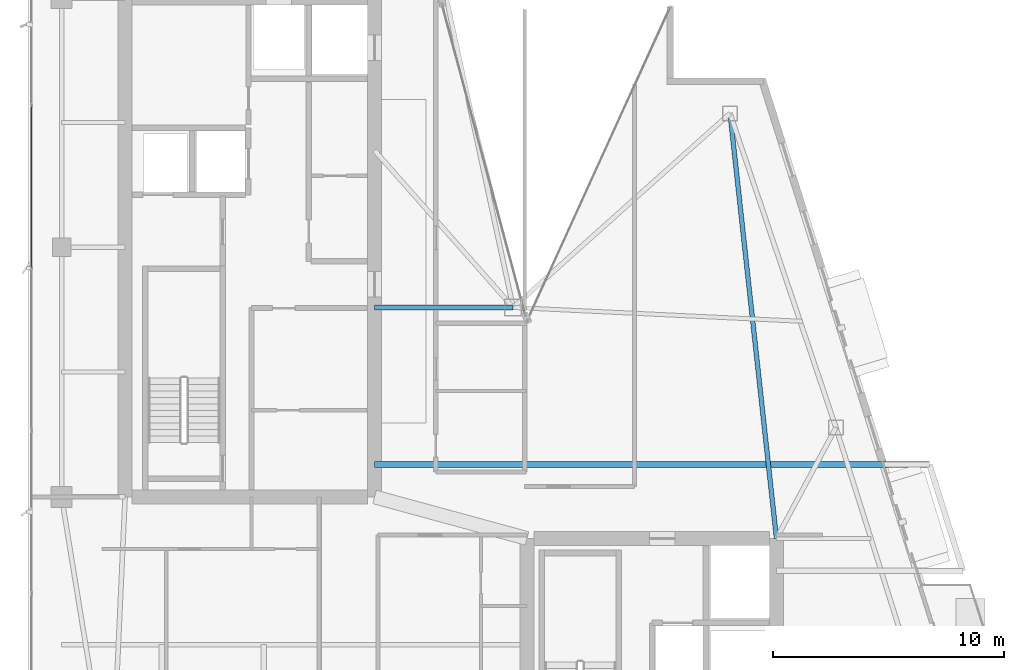
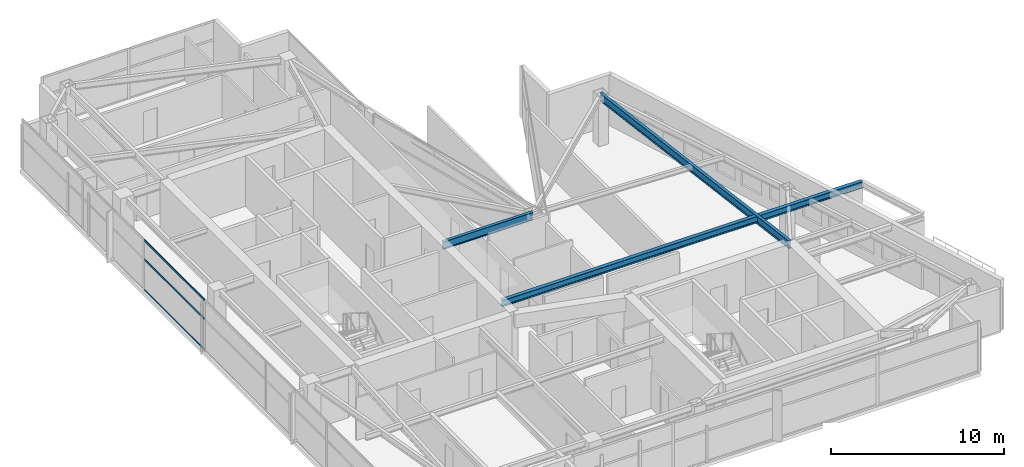
# One storey, part 11 of 27: 3 beams, 3 members, 1 element without a shape of its own.
"""IFC4 building model written with IfcOpenShell, lengths in metres."""

import ifcopenshell
import ifcopenshell.guid

model = None  # the IFC model being written
_history = None  # IfcOwnerHistory: only IFC2X3 demands one
_inside = {}  # id of a spatial element -> (the spatial element, [elements in it])
_under = {}  # id of a project, library or spatial element -> (it, [spatial elements below it])
_declared = {}  # id of a project -> (the project, [libraries it declares])
_typed = {}  # id of a type object -> (the type object, [elements of that type])
_made_of = {}  # id of a material, layer set ... -> (it, [elements and type objects made of it])


def new_model(schema):
    """Start an empty IFC model of exactly this schema.

    Asked for "IFC4X3", IfcOpenShell would pick the latest addendum, in which some entities
    have other attributes; the version numbers below select the first issue.
    IFC2X3 requires an IfcOwnerHistory on every rooted entity: one is made here for all.
    """
    global model, _history
    if schema == "IFC4X3":
        model = ifcopenshell.file(schema_version=(4, 3, 0, 0))
    else:
        model = ifcopenshell.file(schema=schema)
    _inside.clear()
    _under.clear()
    _declared.clear()
    _typed.clear()
    _made_of.clear()
    _history = None
    if model.schema == "IFC2X3":
        org = make("IfcOrganization", Name="unknown")
        user = make(
            "IfcPersonAndOrganization",
            ThePerson=make("IfcPerson", FamilyName="unknown"),
            TheOrganization=org,
        )
        app = make(
            "IfcApplication",
            ApplicationDeveloper=org,
            Version="unknown",
            ApplicationFullName="unknown",
            ApplicationIdentifier="unknown",
        )
        _history = make(
            "IfcOwnerHistory",
            OwningUser=user,
            OwningApplication=app,
            ChangeAction="ADDED",
            CreationDate=0,
        )
    return model


def make(cls, **values):
    """One entity of the class cls with the attributes given. An attribute that is None is left unset."""
    return model.create_entity(
        cls, **{name: value for name, value in values.items() if value is not None}
    )


def rooted(cls, **values):
    """An entity with a GlobalId (a new one), such as an element, a storey or a relation."""
    return make(cls, GlobalId=ifcopenshell.guid.new(), OwnerHistory=_history, **values)


def si_unit(unit_type, name, prefix=None):
    """IfcSIUnit, for example si_unit("LENGTHUNIT", "METRE", prefix="MILLI")."""
    return make("IfcSIUnit", UnitType=unit_type, Prefix=prefix, Name=name)


def assignment(units):
    """IfcUnitAssignment: the units of a project."""
    return None if units is None else make("IfcUnitAssignment", Units=units)


def point(xyz):
    """IfcCartesianPoint."""
    return None if xyz is None else make("IfcCartesianPoint", Coordinates=xyz)


def direction(xyz):
    """IfcDirection."""
    return None if xyz is None else make("IfcDirection", DirectionRatios=xyz)


def frame(location, z_axis=None, x_axis=None):
    """IfcAxis2Placement3D, a coordinate frame: its origin and axes. An axis left out is left unset."""
    return make(
        "IfcAxis2Placement3D",
        Location=point(location),
        Axis=direction(z_axis),
        RefDirection=direction(x_axis),
    )


def frame_2d(location, x_axis=None):
    """IfcAxis2Placement2D, a coordinate frame in the plane: its origin and x axis."""
    return make(
        "IfcAxis2Placement2D", Location=point(location), RefDirection=direction(x_axis)
    )


def origin():
    """The frame at (0, 0, 0) with its axes left unset."""
    return frame((0.0, 0.0, 0.0))


def origin_2d():
    """The frame at (0, 0) in the plane with its x axis left unset."""
    return frame_2d((0.0, 0.0))


def place(relative_to, where):
    """IfcLocalPlacement: puts the frame where relative to a parent placement (None: the world)."""
    return make(
        "IfcLocalPlacement", PlacementRelTo=relative_to, RelativePlacement=where
    )


def context(
    kind, dimensions, precision=None, world=None, true_north=None, identifier=None
):
    """IfcGeometricRepresentationContext, for example the 3D "Model" context."""
    return make(
        "IfcGeometricRepresentationContext",
        ContextIdentifier=identifier,
        ContextType=kind,
        CoordinateSpaceDimension=dimensions,
        Precision=precision,
        WorldCoordinateSystem=world,
        TrueNorth=true_north,
    )


def subcontext(parent, identifier, kind, view, scale=None):
    """IfcGeometricRepresentationSubContext, for example "Body" below "Model"."""
    return make(
        "IfcGeometricRepresentationSubContext",
        ContextIdentifier=identifier,
        ContextType=kind,
        ParentContext=parent,
        TargetScale=scale,
        TargetView=view,
    )


def project(units=None, contexts=None):
    """IfcProject with its units and contexts."""
    return rooted(
        "IfcProject",
        Name="project",
        RepresentationContexts=contexts,
        UnitsInContext=assignment(units),
    )


def spatial(cls, under=None, at=None, **own):
    """A site, building, storey or space (cls), placed at a placement, below another one or the project."""
    s = rooted(cls, ObjectPlacement=at, **own)
    if under is not None:
        _under.setdefault(under.id(), (under, []))[1].append(s)
    return s


def profile(cls, at=None, kind="AREA", **sizes):
    """A parametric profile (cls). Its sizes go by their IFC names, for example OverallWidth=200.0."""
    return make(cls, ProfileType=kind, Position=at, **sizes)


def hollow_rectangle(**sizes):
    """IfcRectangleHollowProfileDef."""
    return profile("IfcRectangleHollowProfileDef", **sizes)


def i_section(**sizes):
    """IfcIShapeProfileDef."""
    return profile("IfcIShapeProfileDef", **sizes)


def extrude(swept, where, along, depth):
    """IfcExtrudedAreaSolid: the profile swept, set in the frame where, extruded along a direction by depth."""
    return make(
        "IfcExtrudedAreaSolid",
        SweptArea=swept,
        Position=where,
        ExtrudedDirection=direction(along),
        Depth=depth,
    )


def shape(context_of_items, identifier, shape_type, items):
    """IfcShapeRepresentation: the items that make up one representation, for example the "Body"."""
    return make(
        "IfcShapeRepresentation",
        ContextOfItems=context_of_items,
        RepresentationIdentifier=identifier,
        RepresentationType=shape_type,
        Items=items,
    )


def material(Name=None, Category=None):
    """IfcMaterial."""
    return make("IfcMaterial", Name=Name, Category=Category)


def layer(
    of_material, thickness, ventilated=None, Name=None, Category=None, Priority=None
):
    """IfcMaterialLayer: one layer of a wall or slab, of a material (None: an air gap)."""
    return make(
        "IfcMaterialLayer",
        Material=of_material,
        LayerThickness=thickness,
        IsVentilated=ventilated,
        Name=Name,
        Category=Category,
        Priority=Priority,
    )


def layer_set(layers, Name=None):
    """IfcMaterialLayerSet."""
    return make("IfcMaterialLayerSet", MaterialLayers=layers, LayerSetName=Name)


def material_profile(
    of_material, cross_section, Name=None, Category=None, Priority=None
):
    """IfcMaterialProfile: a cross section and its material."""
    return make(
        "IfcMaterialProfile",
        Name=Name,
        Material=of_material,
        Profile=cross_section,
        Priority=Priority,
        Category=Category,
    )


def profile_set(profiles, Name=None, composite=None):
    """IfcMaterialProfileSet."""
    return make(
        "IfcMaterialProfileSet",
        Name=Name,
        MaterialProfiles=profiles,
        CompositeProfile=composite,
    )


def made_of(thing, what):
    """Note that an element or type object is made of a material, layer set ...; save() writes the relation."""
    if what is not None:
        _made_of.setdefault(what.id(), (what, []))[1].append(thing)
    return thing


def type_object(cls, material=None, **own):
    """A type object (cls), such as IfcWallType, which elements share."""
    return made_of(rooted(cls, **own), material)


def element(
    cls,
    number,
    at=None,
    inside=None,
    cuts=None,
    type_object=None,
    material=None,
    context=None,
    identifier="Body",
    shape_type=None,
    held_by="IfcProductDefinitionShape",
    body=None,
    shapes=None,
    **own,
):
    """One element of the class cls, such as IfcWall. Its Tag is "e" and its number.

    at: its placement. inside: the storey or other place that contains it. cuts: it is an
    opening in that element (IfcRelVoidsElement). A single representation is given by context,
    identifier, shape_type and body (its items); several are given by shapes. held_by: the class
    of the entity that holds the representations. save() writes the other relations.
    """
    e = rooted(cls, Tag="e%d" % number, ObjectPlacement=at, **own)
    if body is not None:
        shapes = [shape(context, identifier, shape_type, body)]
    if shapes is not None:
        e.Representation = make(held_by, Representations=shapes)
    if inside is not None:
        _inside.setdefault(inside.id(), (inside, []))[1].append(e)
    if cuts is not None:
        rooted(
            "IfcRelVoidsElement", RelatingBuildingElement=cuts, RelatedOpeningElement=e
        )
    if type_object is not None:
        _typed.setdefault(type_object.id(), (type_object, []))[1].append(e)
    return made_of(e, material)


def aggregate(whole, parts):
    """IfcRelAggregates: a whole, such as a stair, and the parts it consists of."""
    return rooted("IfcRelAggregates", RelatingObject=whole, RelatedObjects=parts)


def save(model, path):
    """Write the relations noted so far, then the file.

    IfcRelAggregates (storeys below a building ...), IfcRelContainedInSpatialStructure (elements
    in a storey), IfcRelDefinesByType, IfcRelAssociatesMaterial and IfcRelDeclares: one each for
    every whole, place, type object, material and project.
    """
    for whole, parts in _under.values():
        aggregate(whole, parts)
    for where, things in _inside.values():
        rooted(
            "IfcRelContainedInSpatialStructure",
            RelatedElements=things,
            RelatingStructure=where,
        )
    for kind, things in _typed.values():
        rooted("IfcRelDefinesByType", RelatedObjects=things, RelatingType=kind)
    for what, things in _made_of.values():
        rooted("IfcRelAssociatesMaterial", RelatedObjects=things, RelatingMaterial=what)
    for by, libraries in _declared.values():
        rooted("IfcRelDeclares", RelatingContext=by, RelatedDefinitions=libraries)
    model.write(path)


model = new_model("IFC4")

# Units and contexts
model_context = context("Model", 3, precision=1e-05, world=origin(), true_north=direction((0.0, 1.0)))
body_context = subcontext(model_context, "Body", "Model", "MODEL_VIEW")
ifc_project = project(units=[si_unit("LENGTHUNIT", "METRE"), si_unit("AREAUNIT", "SQUARE_METRE"), si_unit("VOLUMEUNIT", "CUBIC_METRE"), si_unit("PLANEANGLEUNIT", "RADIAN"), si_unit("MASSUNIT", "GRAM", prefix="KILO")], contexts=[model_context])

# Site, building, storey
site_placement = place(None, origin())
site = spatial("IfcSite", under=ifc_project, at=site_placement, CompositionType="ELEMENT")
building_placement = place(site_placement, origin())
building = spatial("IfcBuilding", under=site, at=building_placement, Name="Calvorn Quay Hotel", CompositionType="ELEMENT")
storey_placement = place(building_placement, frame((0.0, 0.0, 291.10009765625)))
storey = spatial("IfcBuildingStorey", under=building, at=storey_placement, Name="L72", CompositionType="ELEMENT", Elevation=291.10009765625)

# Beams
ifc_material_1 = material(Name="Steel Q355B", Category="steel")
ifc_material_profile_1 = material_profile(ifc_material_1, i_section(OverallWidth=0.25, OverallDepth=0.449951171875, WebThickness=0.011962890625, FlangeThickness=0.01611328125, FilletRadius=0.01611328125, at=origin_2d()), Name="HN450x250x12x16")
ifc_profile_set_1 = profile_set([ifc_material_profile_1], Name="Steel Q355B")
beam_type_1 = type_object("IfcBeamType", Name="BM-CANT-BALC", PredefinedType="BEAM", material=ifc_profile_set_1)
beam_1_placement = place(storey_placement, frame((15.0, 18.199951171875, 3.31494140625), z_axis=(1.0, 0.0, 0.0), x_axis=(0.0, 1.0, 0.0)))
element("IfcBeam", 1, at=beam_1_placement, inside=storey, type_object=beam_type_1, Name="Cantilever Balcony Beam BCB-L73-1B", PredefinedType="BEAM", context=body_context, shape_type="SweptSolid", body=[
    extrude(i_section(OverallWidth=0.25, OverallDepth=0.449951171875, WebThickness=0.011962890625, FlangeThickness=0.01611328125, FilletRadius=0.01611328125, at=origin_2d()), origin(), (0.0, 0.0, 1.0), 24.02001953125),
])
ifc_material_2 = material(Name="Steel Q355B", Category="steel")
ifc_material_profile_2 = material_profile(ifc_material_2, i_section(OverallWidth=0.199951171875, OverallDepth=0.550048828125, WebThickness=0.010009765625, FlangeThickness=0.01611328125, FilletRadius=0.01806640625, at=origin_2d()), Name="HN550x200x10x16")
ifc_profile_set_2 = profile_set([ifc_material_profile_2], Name="Steel Q355B")
beam_type_2 = type_object("IfcBeamType", Name="BM-GIRD-UPP", PredefinedType="BEAM", material=ifc_profile_set_2)
beam_2_placement = place(storey_placement, frame((21.0, 25.0, 3.264892578125), z_axis=(-1.0, 0.0, 0.0), x_axis=(0.0, -1.0, 0.0)))
element("IfcBeam", 2, at=beam_2_placement, inside=storey, type_object=beam_type_2, Name="Beam BG-L72-W7", PredefinedType="BEAM", context=body_context, shape_type="SweptSolid", body=[
    extrude(i_section(OverallWidth=0.199951171875, OverallDepth=0.550048828125, WebThickness=0.010009765625, FlangeThickness=0.01611328125, FilletRadius=0.01806640625, at=origin_2d()), origin(), (0.0, 0.0, 1.0), 6.0),
])
beam_3_placement = place(storey_placement, frame((32.39990234375, 15.0, 3.264892578125), z_axis=(-0.108529038315, 0.994093279246, 0.0), x_axis=(-0.994093279246, -0.108529038315, 0.0)))
element("IfcBeam", 3, at=beam_3_placement, inside=storey, type_object=beam_type_2, Name="Beam BG-L72-E3", PredefinedType="BEAM", context=body_context, shape_type="SweptSolid", body=[
    extrude(i_section(OverallWidth=0.199951171875, OverallDepth=0.550048828125, WebThickness=0.010009765625, FlangeThickness=0.01611328125, FilletRadius=0.01806640625, at=origin_2d()), origin(), (0.0, 0.0, 1.0), 18.50927734375),
])

# Curtain wall, members
ifc_material_3 = material(Name="Champagne Bronze Anodised Aluminium and Low-E Glass", Category="aluminium")
ifc_layer = layer(ifc_material_3, 0.219970703125)
ifc_layer_set = layer_set([ifc_layer], Name="CW-SYS-Z4")
curtain_wall_type = type_object("IfcCurtainWallType", Name="CW-SYS-Z4", PredefinedType="NOTDEFINED", material=ifc_layer_set)
curtain_wall_placement = place(storey_placement, origin())
curtain_wall = element("IfcCurtainWall", 4, at=curtain_wall_placement, inside=storey, type_object=curtain_wall_type, Name="Tower West Curtain Wall (L72)", PredefinedType="NOTDEFINED")
ifc_material_4 = material(Name="Champagne Bronze Anodised Aluminium 6063-T6", Category="aluminium")
ifc_material_profile_3 = material_profile(ifc_material_4, hollow_rectangle(XDim=0.054931640625, YDim=0.1298828125, WallThickness=0.003173828125, at=origin_2d()), Name="ALU-T130x55x3.2")
ifc_profile_set_3 = profile_set([ifc_material_profile_3], Name="Champagne Bronze Anodised Aluminium 6063-T6")
member_type = type_object("IfcMemberType", Name="CW-SYS-Z4-TRN", PredefinedType="USERDEFINED", material=ifc_profile_set_3)
member_1_placement = place(storey_placement, frame((0.14990234375, 26.72998046875, 0.02978515625), z_axis=(0.0, 1.0, 0.0), x_axis=(-1.0, 0.0, 0.0)))
member_1 = element("IfcMember", 5, at=member_1_placement, type_object=member_type, Name="CW-L72-W transom 4.1", ObjectType="TRANSOM", PredefinedType="USERDEFINED", context=body_context, shape_type="SweptSolid", body=[
    extrude(hollow_rectangle(XDim=0.054931640625, YDim=0.1298828125, WallThickness=0.003173828125, at=origin_2d()), origin(), (0.0, 0.0, 1.0), 6.973388671875),
])
member_2_placement = place(storey_placement, frame((0.14990234375, 26.72998046875, 2.199951171875), z_axis=(0.0, 1.0, 0.0), x_axis=(-1.0, 0.0, 0.0)))
member_2 = element("IfcMember", 6, at=member_2_placement, type_object=member_type, Name="CW-L72-W transom 4.2", ObjectType="TRANSOM", PredefinedType="USERDEFINED", context=body_context, shape_type="SweptSolid", body=[
    extrude(hollow_rectangle(XDim=0.054931640625, YDim=0.1298828125, WallThickness=0.003173828125, at=origin_2d()), origin(), (0.0, 0.0, 1.0), 6.973388671875),
])
member_3_placement = place(storey_placement, frame((0.14990234375, 26.72998046875, 3.52978515625), z_axis=(0.0, 1.0, 0.0), x_axis=(-1.0, 0.0, 0.0)))
member_3 = element("IfcMember", 7, at=member_3_placement, type_object=member_type, Name="CW-L72-W transom 4.3", ObjectType="TRANSOM", PredefinedType="USERDEFINED", context=body_context, shape_type="SweptSolid", body=[
    extrude(hollow_rectangle(XDim=0.054931640625, YDim=0.1298828125, WallThickness=0.003173828125, at=origin_2d()), origin(), (0.0, 0.0, 1.0), 6.973388671875),
])
aggregate(curtain_wall, [member_1, member_2, member_3])

save(model, "model.ifc")
